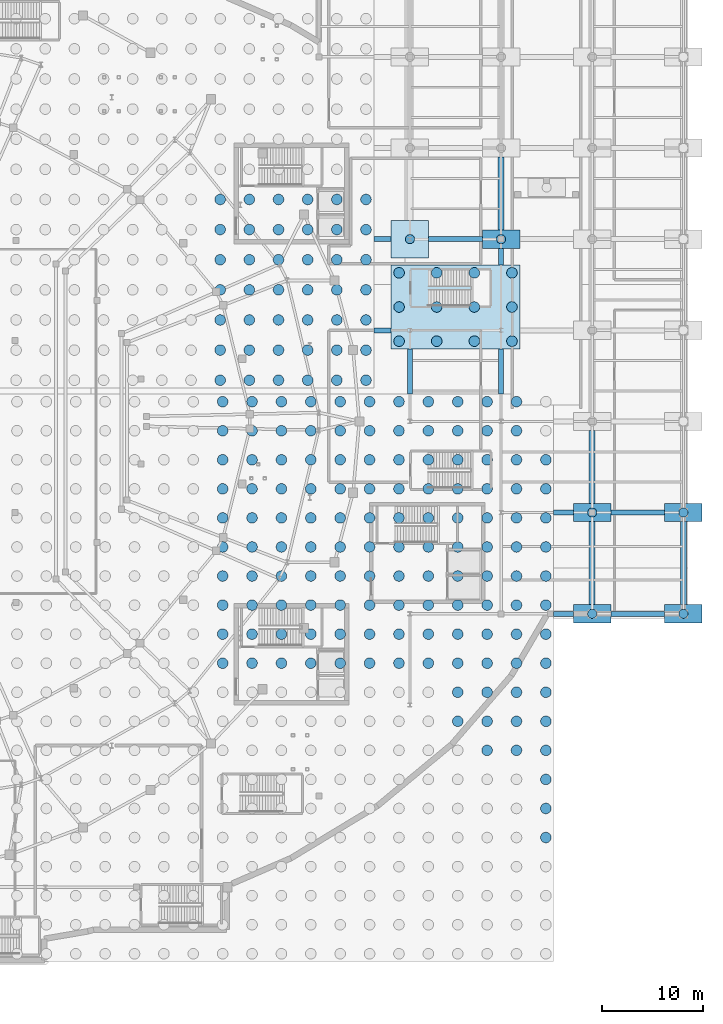
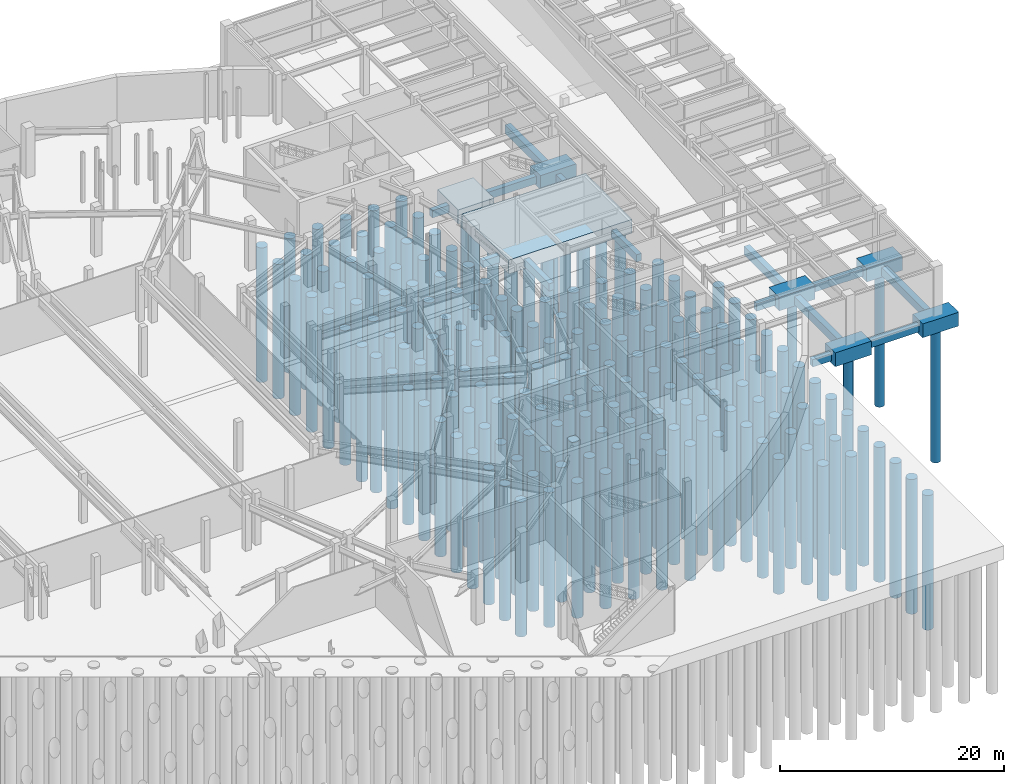
# One storey, part 8 of 56: 192 piles, 21 footings.
"""IFC4 building model written with IfcOpenShell, lengths in metres."""

from ifc_helpers import new_model, si_unit, direction, frame, origin, origin_2d, place, context, subcontext, project, spatial, polyline, rectangle, circle, outline, extrude, material, material_profile, profile_set, type_object, element, save


model = new_model("IFC4")

# Units and contexts
model_context = context("Model", 3, precision=1e-05, world=origin(), true_north=direction((0.0, 1.0)))
body_context = subcontext(model_context, "Body", "Model", "MODEL_VIEW")
ifc_project = project(units=[si_unit("LENGTHUNIT", "METRE"), si_unit("AREAUNIT", "SQUARE_METRE"), si_unit("VOLUMEUNIT", "CUBIC_METRE"), si_unit("PLANEANGLEUNIT", "RADIAN"), si_unit("MASSUNIT", "GRAM", prefix="KILO")], contexts=[model_context])

# Site, building, storey
site_placement = place(None, origin())
site = spatial("IfcSite", under=ifc_project, at=site_placement, CompositionType="ELEMENT")
building_placement = place(site_placement, origin())
building = spatial("IfcBuilding", under=site, at=building_placement, Name="Glasvene Arena", CompositionType="ELEMENT")
storey_placement = place(building_placement, frame((0.0, 0.0, -5.39990234375)))
storey = spatial("IfcBuildingStorey", under=building, at=storey_placement, Name="B1", CompositionType="ELEMENT", Elevation=-5.39990234375)

# Footings
ifc_material = material(Name="Concrete C40/50", Category="concrete")
footing_type_1 = type_object("IfcFootingType", Name="FT-FB-500x800", PredefinedType="FOOTING_BEAM", material=ifc_material)
for number, where, name in (
    (1, (147.0, 77.93701171875, -1.25), "Ground tie beam 0057"),
    (2, (156.0, 77.93701171875, -1.25), "Ground tie beam 0061"),
):
    element("IfcFooting", number, at=place(storey_placement, frame(where)), inside=storey, type_object=footing_type_1, Name=name, PredefinedType="FOOTING_BEAM", context=body_context, shape_type="SweptSolid", body=[
        extrude(outline(polyline([(-0.25, -2.212890625), (0.25, -2.212890625), (0.25, 2.212890625), (-0.25, 2.212890625), (-0.25, -2.212890625)])), origin(), (0.0, 0.0, 1.0), 0.7998046875),
    ])
footing_1_placement = place(storey_placement, frame((156.0, 89.27490234375, -1.25)))
element("IfcFooting", 3, at=footing_1_placement, inside=storey, type_object=footing_type_1, Name="Ground tie beam 0062", PredefinedType="FOOTING_BEAM", context=body_context, shape_type="SweptSolid", body=[
    extrude(outline(polyline([(-0.25, -0.824951171875), (0.25, -0.824951171875), (0.25, 0.8251953125), (-0.25, 0.8251953125), (-0.25, -0.824951171875)])), origin(), (0.0, 0.0, 1.0), 0.7998046875),
])
footing_2_placement = place(storey_placement, frame((162.175048828125, 54.0, -1.25)))
element("IfcFooting", 4, at=footing_2_placement, inside=storey, type_object=footing_type_1, Name="Ground tie beam 0094", PredefinedType="FOOTING_BEAM", context=body_context, shape_type="SweptSolid", body=[
    extrude(outline(polyline([(-0.97509765625, -0.25), (0.974853515625, -0.25), (0.974853515625, 0.25), (-0.97509765625, 0.25), (-0.97509765625, -0.25)])), origin(), (0.0, 0.0, 1.0), 0.7998046875),
])
footing_3_placement = place(storey_placement, frame((169.5, 54.0, -1.25)))
element("IfcFooting", 5, at=footing_3_placement, inside=storey, type_object=footing_type_1, Name="Ground tie beam 0095", PredefinedType="FOOTING_BEAM", context=body_context, shape_type="SweptSolid", body=[
    extrude(outline(polyline([(-2.64990234375, -0.25), (2.64990234375, -0.25), (2.64990234375, 0.25), (-2.64990234375, 0.25), (-2.64990234375, -0.25)])), origin(), (0.0, 0.0, 1.0), 0.7998046875),
])
footing_4_placement = place(storey_placement, frame((162.175048828125, 64.0, -1.25)))
element("IfcFooting", 6, at=footing_4_placement, inside=storey, type_object=footing_type_1, Name="Ground tie beam 0099", PredefinedType="FOOTING_BEAM", context=body_context, shape_type="SweptSolid", body=[
    extrude(outline(polyline([(-0.97509765625, -0.25), (0.974853515625, -0.25), (0.974853515625, 0.25), (-0.97509765625, 0.25), (-0.97509765625, -0.25)])), origin(), (0.0, 0.0, 1.0), 0.7998046875),
])
footing_5_placement = place(storey_placement, frame((169.5, 64.0, -1.25)))
element("IfcFooting", 7, at=footing_5_placement, inside=storey, type_object=footing_type_1, Name="Ground tie beam 0100", PredefinedType="FOOTING_BEAM", context=body_context, shape_type="SweptSolid", body=[
    extrude(outline(polyline([(-2.64990234375, -0.25), (2.64990234375, -0.25), (2.64990234375, 0.25), (-2.64990234375, 0.25), (-2.64990234375, -0.25)])), origin(), (0.0, 0.0, 1.0), 0.7998046875),
])
for number, where, name in (
    (8, (144.2919921875, 82.0, -1.25), "Ground tie beam 0112"),
    (9, (144.2919921875, 91.0, -1.25), "Ground tie beam 0121"),
):
    element("IfcFooting", number, at=place(storey_placement, frame(where)), inside=storey, type_object=footing_type_1, Name=name, PredefinedType="FOOTING_BEAM", context=body_context, shape_type="SweptSolid", body=[
        extrude(outline(polyline([(-0.85791015625, -0.25), (0.85791015625, -0.25), (0.85791015625, 0.25), (-0.85791015625, 0.25), (-0.85791015625, -0.25)])), origin(), (0.0, 0.0, 1.0), 0.7998046875),
    ])
footing_6_placement = place(storey_placement, frame((151.5, 91.0, -1.25)))
element("IfcFooting", 10, at=footing_6_placement, inside=storey, type_object=footing_type_1, Name="Ground tie beam 0122", PredefinedType="FOOTING_BEAM", context=body_context, shape_type="SweptSolid", body=[
    extrude(outline(polyline([(-2.64990234375, -0.25), (2.64990234375, -0.25), (2.64990234375, 0.25), (-2.64990234375, 0.25), (-2.64990234375, -0.25)])), origin(), (0.0, 0.0, 1.0), 0.7998046875),
])
footing_type_2 = type_object("IfcFootingType", Name="FT-FB-600x900", PredefinedType="FOOTING_BEAM", material=ifc_material)
footing_7_placement = place(storey_placement, frame((156.0, 95.5, -1.35009765625)))
element("IfcFooting", 11, at=footing_7_placement, inside=storey, type_object=footing_type_2, Name="Ground tie beam 0063", PredefinedType="FOOTING_BEAM", context=body_context, shape_type="SweptSolid", body=[
    extrude(outline(polyline([(-0.300048828125, -3.60009765625), (0.300048828125, -3.60009765625), (0.300048828125, 3.60009765625), (-0.300048828125, 3.60009765625), (-0.300048828125, -3.60009765625)])), origin(), (0.0, 0.0, 1.0), 0.89990234375),
])
footing_8_placement = place(storey_placement, frame((165.0, 59.0, -1.35009765625)))
element("IfcFooting", 12, at=footing_8_placement, inside=storey, type_object=footing_type_2, Name="Ground tie beam 0066", PredefinedType="FOOTING_BEAM", context=body_context, shape_type="SweptSolid", body=[
    extrude(outline(polyline([(-0.300048828125, -4.10009765625), (0.300048828125, -4.10009765625), (0.300048828125, 4.10009765625), (-0.300048828125, 4.10009765625), (-0.300048828125, -4.10009765625)])), origin(), (0.0, 0.0, 1.0), 0.89990234375),
])
footing_9_placement = place(storey_placement, frame((165.0, 68.5, -1.35009765625)))
element("IfcFooting", 13, at=footing_9_placement, inside=storey, type_object=footing_type_2, Name="Ground tie beam 0067", PredefinedType="FOOTING_BEAM", context=body_context, shape_type="SweptSolid", body=[
    extrude(outline(polyline([(-0.300048828125, -3.60009765625), (0.300048828125, -3.60009765625), (0.300048828125, 3.60009765625), (-0.300048828125, 3.60009765625), (-0.300048828125, -3.60009765625)])), origin(), (0.0, 0.0, 1.0), 0.89990234375),
])
footing_10_placement = place(storey_placement, frame((174.0, 59.0, -1.35009765625)))
element("IfcFooting", 14, at=footing_10_placement, inside=storey, type_object=footing_type_2, Name="Ground tie beam 0073", PredefinedType="FOOTING_BEAM", context=body_context, shape_type="SweptSolid", body=[
    extrude(outline(polyline([(-0.300048828125, -4.10009765625), (0.300048828125, -4.10009765625), (0.300048828125, 4.10009765625), (-0.300048828125, 4.10009765625), (-0.300048828125, -4.10009765625)])), origin(), (0.0, 0.0, 1.0), 0.89990234375),
])
footing_type_3 = type_object("IfcFootingType", Name="FT-PC-1270x830", PredefinedType="PILE_CAP", material=ifc_material)
footing_11_placement = place(storey_placement, frame((151.5, 84.300048828125, -1.5), z_axis=(0.0, 0.0, 1.0), x_axis=(1.0, 0.0, 0.0)))
element("IfcFooting", 15, at=footing_11_placement, inside=storey, type_object=footing_type_3, Name="Pile cap 054", PredefinedType="PILE_CAP", context=body_context, shape_type="SweptSolid", body=[
    extrude(rectangle(XDim=12.699951171875, YDim=8.300048828125, at=origin_2d()), origin(), (0.0, 0.0, 1.0), 1.5),
])
footing_type_4 = type_object("IfcFootingType", Name="FT-PC-370x180", PredefinedType="PILE_CAP", material=ifc_material)
for number, where, z_axis, x_axis, name in (
    (16, (165.0, 54.0, -1.5), (0.0, 0.0, 1.0), (1.0, 0.0, 0.0), "Pile cap 036"),
    (17, (174.0, 54.0, -1.5), (0.0, 0.0, 1.0), (1.0, 0.0, 0.0), "Pile cap 037"),
    (18, (165.0, 64.0, -1.5), (0.0, 0.0, 1.0), (1.0, 0.0, 0.0), "Pile cap 042"),
    (19, (174.0, 64.0, -1.5), (0.0, 0.0, 1.0), (1.0, 0.0, 0.0), "Pile cap 043"),
    (20, (156.0, 91.0, -1.5), (0.0, 0.0, 1.0), (1.0, 0.0, 0.0), "Pile cap 069"),
):
    element("IfcFooting", number, at=place(storey_placement, frame(where, z_axis=z_axis, x_axis=x_axis)), inside=storey, type_object=footing_type_4, Name=name, PredefinedType="PILE_CAP", context=body_context, shape_type="SweptSolid", body=[
        extrude(rectangle(XDim=3.699951171875, YDim=1.800048828125, at=origin_2d()), origin(), (0.0, 0.0, 1.0), 1.5),
    ])
footing_type_5 = type_object("IfcFootingType", Name="FT-PC-370x370", PredefinedType="PILE_CAP", material=ifc_material)
footing_12_placement = place(storey_placement, frame((147.0, 91.0, -1.5), z_axis=(0.0, 0.0, 1.0), x_axis=(1.0, 0.0, 0.0)))
element("IfcFooting", 21, at=footing_12_placement, inside=storey, type_object=footing_type_5, Name="Pile cap 064", PredefinedType="PILE_CAP", context=body_context, shape_type="SweptSolid", body=[
    extrude(rectangle(XDim=3.699951171875, YDim=3.699951171875, at=origin_2d()), origin(), (0.0, 0.0, 1.0), 1.5),
])

# Piles
ifc_material_profile_1 = material_profile(ifc_material, circle(Radius=0.52490234375, at=origin_2d()), Name="BORED PILE 1050")
ifc_profile_set_1 = profile_set([ifc_material_profile_1], Name="Concrete C40/50")
pile_type_1 = type_object("IfcPileType", Name="PL-BP1050", PredefinedType="BORED", material=ifc_profile_set_1)
for number, where, z_axis, x_axis, name in (
    (22, (128.50390625, 49.121826171875, -1.35009765625), (0.0, 0.0, -1.0), (1.0, 0.0, 0.0), "Bored pile 0820"),
    (23, (128.50390625, 51.991455078125, -1.35009765625), (0.0, 0.0, -1.0), (1.0, 0.0, 0.0), "Bored pile 0821"),
    (24, (128.50390625, 54.861083984375, -1.35009765625), (0.0, 0.0, -1.0), (1.0, 0.0, 0.0), "Bored pile 0822"),
    (25, (128.50390625, 57.73095703125, -1.35009765625), (0.0, 0.0, -1.0), (1.0, 0.0, 0.0), "Bored pile 0823"),
    (26, (128.50390625, 60.6005859375, -1.35009765625), (0.0, 0.0, -1.0), (1.0, 0.0, 0.0), "Bored pile 0824"),
    (27, (128.50390625, 63.47021484375, -1.35009765625), (0.0, 0.0, -1.0), (1.0, 0.0, 0.0), "Bored pile 0825"),
    (28, (128.50390625, 66.33984375, -1.35009765625), (0.0, 0.0, -1.0), (1.0, 0.0, 0.0), "Bored pile 0826"),
    (29, (128.50390625, 69.209716796875, -1.35009765625), (0.0, 0.0, -1.0), (1.0, 0.0, 0.0), "Bored pile 0827"),
    (30, (128.50390625, 72.079345703125, -1.35009765625), (0.0, 0.0, -1.0), (1.0, 0.0, 0.0), "Bored pile 0828"),
    (31, (128.50390625, 74.948974609375, -1.35009765625), (0.0, 0.0, -1.0), (1.0, 0.0, 0.0), "Bored pile 0829"),
    (32, (131.406005859375, 49.121826171875, -1.35009765625), (0.0, 0.0, -1.0), (1.0, 0.0, 0.0), "Bored pile 0840"),
    (33, (131.406005859375, 51.991455078125, -1.35009765625), (0.0, 0.0, -1.0), (1.0, 0.0, 0.0), "Bored pile 0841"),
    (34, (131.406005859375, 54.861083984375, -1.35009765625), (0.0, 0.0, -1.0), (1.0, 0.0, 0.0), "Bored pile 0842"),
    (35, (131.406005859375, 57.73095703125, -1.35009765625), (0.0, 0.0, -1.0), (1.0, 0.0, 0.0), "Bored pile 0843"),
    (36, (131.406005859375, 60.6005859375, -1.35009765625), (0.0, 0.0, -1.0), (1.0, 0.0, 0.0), "Bored pile 0844"),
    (37, (131.406005859375, 63.47021484375, -1.35009765625), (0.0, 0.0, -1.0), (1.0, 0.0, 0.0), "Bored pile 0845"),
    (38, (131.406005859375, 66.33984375, -1.35009765625), (0.0, 0.0, -1.0), (1.0, 0.0, 0.0), "Bored pile 0846"),
    (39, (131.406005859375, 69.209716796875, -1.35009765625), (0.0, 0.0, -1.0), (1.0, 0.0, 0.0), "Bored pile 0847"),
    (40, (131.406005859375, 72.079345703125, -1.35009765625), (0.0, 0.0, -1.0), (1.0, 0.0, 0.0), "Bored pile 0848"),
    (41, (131.406005859375, 74.948974609375, -1.35009765625), (0.0, 0.0, -1.0), (1.0, 0.0, 0.0), "Bored pile 0849"),
    (42, (134.307861328125, 49.121826171875, -1.35009765625), (0.0, 0.0, -1.0), (1.0, 0.0, 0.0), "Bored pile 0860"),
    (43, (134.307861328125, 51.991455078125, -1.35009765625), (0.0, 0.0, -1.0), (1.0, 0.0, 0.0), "Bored pile 0861"),
    (44, (134.307861328125, 54.861083984375, -1.35009765625), (0.0, 0.0, -1.0), (1.0, 0.0, 0.0), "Bored pile 0862"),
    (45, (134.307861328125, 57.73095703125, -1.35009765625), (0.0, 0.0, -1.0), (1.0, 0.0, 0.0), "Bored pile 0863"),
    (46, (134.307861328125, 60.6005859375, -1.35009765625), (0.0, 0.0, -1.0), (1.0, 0.0, 0.0), "Bored pile 0864"),
    (47, (134.307861328125, 63.47021484375, -1.35009765625), (0.0, 0.0, -1.0), (1.0, 0.0, 0.0), "Bored pile 0865"),
    (48, (134.307861328125, 66.33984375, -1.35009765625), (0.0, 0.0, -1.0), (1.0, 0.0, 0.0), "Bored pile 0866"),
    (49, (134.307861328125, 69.209716796875, -1.35009765625), (0.0, 0.0, -1.0), (1.0, 0.0, 0.0), "Bored pile 0867"),
    (50, (134.307861328125, 72.079345703125, -1.35009765625), (0.0, 0.0, -1.0), (1.0, 0.0, 0.0), "Bored pile 0868"),
    (51, (134.307861328125, 74.948974609375, -1.35009765625), (0.0, 0.0, -1.0), (1.0, 0.0, 0.0), "Bored pile 0869"),
    (52, (137.209716796875, 49.121826171875, -1.35009765625), (0.0, 0.0, -1.0), (1.0, 0.0, 0.0), "Bored pile 0880"),
    (53, (137.209716796875, 51.991455078125, -1.35009765625), (0.0, 0.0, -1.0), (1.0, 0.0, 0.0), "Bored pile 0881"),
    (54, (137.209716796875, 54.861083984375, -1.35009765625), (0.0, 0.0, -1.0), (1.0, 0.0, 0.0), "Bored pile 0882"),
    (55, (137.209716796875, 57.73095703125, -1.35009765625), (0.0, 0.0, -1.0), (1.0, 0.0, 0.0), "Bored pile 0883"),
    (56, (137.209716796875, 60.6005859375, -1.35009765625), (0.0, 0.0, -1.0), (1.0, 0.0, 0.0), "Bored pile 0884"),
    (57, (137.209716796875, 63.47021484375, -1.35009765625), (0.0, 0.0, -1.0), (1.0, 0.0, 0.0), "Bored pile 0885"),
    (58, (137.209716796875, 66.33984375, -1.35009765625), (0.0, 0.0, -1.0), (1.0, 0.0, 0.0), "Bored pile 0886"),
    (59, (137.209716796875, 69.209716796875, -1.35009765625), (0.0, 0.0, -1.0), (1.0, 0.0, 0.0), "Bored pile 0887"),
    (60, (137.209716796875, 72.079345703125, -1.35009765625), (0.0, 0.0, -1.0), (1.0, 0.0, 0.0), "Bored pile 0888"),
    (61, (137.209716796875, 74.948974609375, -1.35009765625), (0.0, 0.0, -1.0), (1.0, 0.0, 0.0), "Bored pile 0889"),
    (62, (140.111572265625, 49.121826171875, -1.35009765625), (0.0, 0.0, -1.0), (1.0, 0.0, 0.0), "Bored pile 0900"),
    (63, (140.111572265625, 51.991455078125, -1.35009765625), (0.0, 0.0, -1.0), (1.0, 0.0, 0.0), "Bored pile 0901"),
    (64, (140.111572265625, 54.861083984375, -1.35009765625), (0.0, 0.0, -1.0), (1.0, 0.0, 0.0), "Bored pile 0902"),
    (65, (140.111572265625, 57.73095703125, -1.35009765625), (0.0, 0.0, -1.0), (1.0, 0.0, 0.0), "Bored pile 0903"),
    (66, (140.111572265625, 60.6005859375, -1.35009765625), (0.0, 0.0, -1.0), (1.0, 0.0, 0.0), "Bored pile 0904"),
    (67, (140.111572265625, 63.47021484375, -1.35009765625), (0.0, 0.0, -1.0), (1.0, 0.0, 0.0), "Bored pile 0905"),
    (68, (140.111572265625, 66.33984375, -1.35009765625), (0.0, 0.0, -1.0), (1.0, 0.0, 0.0), "Bored pile 0906"),
    (69, (140.111572265625, 69.209716796875, -1.35009765625), (0.0, 0.0, -1.0), (1.0, 0.0, 0.0), "Bored pile 0907"),
    (70, (140.111572265625, 72.079345703125, -1.35009765625), (0.0, 0.0, -1.0), (1.0, 0.0, 0.0), "Bored pile 0908"),
    (71, (140.111572265625, 74.948974609375, -1.35009765625), (0.0, 0.0, -1.0), (1.0, 0.0, 0.0), "Bored pile 0909"),
    (72, (143.013427734375, 49.121826171875, -1.35009765625), (0.0, 0.0, -1.0), (1.0, 0.0, 0.0), "Bored pile 0920"),
    (73, (143.013427734375, 51.991455078125, -1.35009765625), (0.0, 0.0, -1.0), (1.0, 0.0, 0.0), "Bored pile 0921"),
    (74, (143.013427734375, 54.861083984375, -1.35009765625), (0.0, 0.0, -1.0), (1.0, 0.0, 0.0), "Bored pile 0922"),
    (75, (143.013427734375, 57.73095703125, -1.35009765625), (0.0, 0.0, -1.0), (1.0, 0.0, 0.0), "Bored pile 0923"),
    (76, (143.013427734375, 60.6005859375, -1.35009765625), (0.0, 0.0, -1.0), (1.0, 0.0, 0.0), "Bored pile 0924"),
    (77, (143.013427734375, 63.47021484375, -1.35009765625), (0.0, 0.0, -1.0), (1.0, 0.0, 0.0), "Bored pile 0925"),
    (78, (143.013427734375, 66.33984375, -1.35009765625), (0.0, 0.0, -1.0), (1.0, 0.0, 0.0), "Bored pile 0926"),
    (79, (143.013427734375, 69.209716796875, -1.35009765625), (0.0, 0.0, -1.0), (1.0, 0.0, 0.0), "Bored pile 0927"),
    (80, (143.013427734375, 72.079345703125, -1.35009765625), (0.0, 0.0, -1.0), (1.0, 0.0, 0.0), "Bored pile 0928"),
    (81, (143.013427734375, 74.948974609375, -1.35009765625), (0.0, 0.0, -1.0), (1.0, 0.0, 0.0), "Bored pile 0929"),
    (82, (145.91552734375, 49.121826171875, -1.35009765625), (0.0, 0.0, -1.0), (1.0, 0.0, 0.0), "Bored pile 0940"),
    (83, (145.91552734375, 51.991455078125, -1.35009765625), (0.0, 0.0, -1.0), (1.0, 0.0, 0.0), "Bored pile 0941"),
    (84, (145.91552734375, 54.861083984375, -1.35009765625), (0.0, 0.0, -1.0), (1.0, 0.0, 0.0), "Bored pile 0942"),
    (85, (145.91552734375, 57.73095703125, -1.35009765625), (0.0, 0.0, -1.0), (1.0, 0.0, 0.0), "Bored pile 0943"),
    (86, (145.91552734375, 60.6005859375, -1.35009765625), (0.0, 0.0, -1.0), (1.0, 0.0, 0.0), "Bored pile 0944"),
    (87, (145.91552734375, 63.47021484375, -1.35009765625), (0.0, 0.0, -1.0), (1.0, 0.0, 0.0), "Bored pile 0945"),
    (88, (145.91552734375, 66.33984375, -1.35009765625), (0.0, 0.0, -1.0), (1.0, 0.0, 0.0), "Bored pile 0946"),
    (89, (145.91552734375, 69.209716796875, -1.35009765625), (0.0, 0.0, -1.0), (1.0, 0.0, 0.0), "Bored pile 0947"),
    (90, (145.91552734375, 72.079345703125, -1.35009765625), (0.0, 0.0, -1.0), (1.0, 0.0, 0.0), "Bored pile 0948"),
    (91, (145.91552734375, 74.948974609375, -1.35009765625), (0.0, 0.0, -1.0), (1.0, 0.0, 0.0), "Bored pile 0949"),
    (92, (148.8173828125, 49.121826171875, -1.35009765625), (0.0, 0.0, -1.0), (1.0, 0.0, 0.0), "Bored pile 0960"),
    (93, (148.8173828125, 51.991455078125, -1.35009765625), (0.0, 0.0, -1.0), (1.0, 0.0, 0.0), "Bored pile 0961"),
    (94, (148.8173828125, 54.861083984375, -1.35009765625), (0.0, 0.0, -1.0), (1.0, 0.0, 0.0), "Bored pile 0962"),
    (95, (148.8173828125, 57.73095703125, -1.35009765625), (0.0, 0.0, -1.0), (1.0, 0.0, 0.0), "Bored pile 0963"),
    (96, (148.8173828125, 60.6005859375, -1.35009765625), (0.0, 0.0, -1.0), (1.0, 0.0, 0.0), "Bored pile 0964"),
    (97, (148.8173828125, 63.47021484375, -1.35009765625), (0.0, 0.0, -1.0), (1.0, 0.0, 0.0), "Bored pile 0965"),
    (98, (148.8173828125, 66.33984375, -1.35009765625), (0.0, 0.0, -1.0), (1.0, 0.0, 0.0), "Bored pile 0966"),
    (99, (148.8173828125, 69.209716796875, -1.35009765625), (0.0, 0.0, -1.0), (1.0, 0.0, 0.0), "Bored pile 0967"),
    (100, (148.8173828125, 72.079345703125, -1.35009765625), (0.0, 0.0, -1.0), (1.0, 0.0, 0.0), "Bored pile 0968"),
    (101, (148.8173828125, 74.948974609375, -1.35009765625), (0.0, 0.0, -1.0), (1.0, 0.0, 0.0), "Bored pile 0969"),
    (102, (151.71923828125, 43.382568359375, -1.35009765625), (0.0, 0.0, -1.0), (1.0, 0.0, 0.0), "Bored pile 0978"),
    (103, (151.71923828125, 46.252197265625, -1.35009765625), (0.0, 0.0, -1.0), (1.0, 0.0, 0.0), "Bored pile 0979"),
    (104, (151.71923828125, 49.121826171875, -1.35009765625), (0.0, 0.0, -1.0), (1.0, 0.0, 0.0), "Bored pile 0980"),
    (105, (151.71923828125, 51.991455078125, -1.35009765625), (0.0, 0.0, -1.0), (1.0, 0.0, 0.0), "Bored pile 0981"),
    (106, (151.71923828125, 54.861083984375, -1.35009765625), (0.0, 0.0, -1.0), (1.0, 0.0, 0.0), "Bored pile 0982"),
    (107, (151.71923828125, 57.73095703125, -1.35009765625), (0.0, 0.0, -1.0), (1.0, 0.0, 0.0), "Bored pile 0983"),
    (108, (151.71923828125, 60.6005859375, -1.35009765625), (0.0, 0.0, -1.0), (1.0, 0.0, 0.0), "Bored pile 0984"),
    (109, (151.71923828125, 63.47021484375, -1.35009765625), (0.0, 0.0, -1.0), (1.0, 0.0, 0.0), "Bored pile 0985"),
    (110, (151.71923828125, 66.33984375, -1.35009765625), (0.0, 0.0, -1.0), (1.0, 0.0, 0.0), "Bored pile 0986"),
    (111, (151.71923828125, 69.209716796875, -1.35009765625), (0.0, 0.0, -1.0), (1.0, 0.0, 0.0), "Bored pile 0987"),
    (112, (151.71923828125, 72.079345703125, -1.35009765625), (0.0, 0.0, -1.0), (1.0, 0.0, 0.0), "Bored pile 0988"),
    (113, (151.71923828125, 74.948974609375, -1.35009765625), (0.0, 0.0, -1.0), (1.0, 0.0, 0.0), "Bored pile 0989"),
    (114, (154.62109375, 40.5126953125, -1.35009765625), (0.0, 0.0, -1.0), (1.0, 0.0, 0.0), "Bored pile 0997"),
    (115, (154.62109375, 43.382568359375, -1.35009765625), (0.0, 0.0, -1.0), (1.0, 0.0, 0.0), "Bored pile 0998"),
    (116, (154.62109375, 46.252197265625, -1.35009765625), (0.0, 0.0, -1.0), (1.0, 0.0, 0.0), "Bored pile 0999"),
    (117, (154.62109375, 49.121826171875, -1.35009765625), (0.0, 0.0, -1.0), (1.0, 0.0, 0.0), "Bored pile 1000"),
    (118, (154.62109375, 51.991455078125, -1.35009765625), (0.0, 0.0, -1.0), (1.0, 0.0, 0.0), "Bored pile 1001"),
    (119, (154.62109375, 54.861083984375, -1.35009765625), (0.0, 0.0, -1.0), (1.0, 0.0, 0.0), "Bored pile 1002"),
    (120, (154.62109375, 57.73095703125, -1.35009765625), (0.0, 0.0, -1.0), (1.0, 0.0, 0.0), "Bored pile 1003"),
    (121, (154.62109375, 60.6005859375, -1.35009765625), (0.0, 0.0, -1.0), (1.0, 0.0, 0.0), "Bored pile 1004"),
    (122, (154.62109375, 63.47021484375, -1.35009765625), (0.0, 0.0, -1.0), (1.0, 0.0, 0.0), "Bored pile 1005"),
    (123, (154.62109375, 66.33984375, -1.35009765625), (0.0, 0.0, -1.0), (1.0, 0.0, 0.0), "Bored pile 1006"),
    (124, (154.62109375, 69.209716796875, -1.35009765625), (0.0, 0.0, -1.0), (1.0, 0.0, 0.0), "Bored pile 1007"),
    (125, (154.62109375, 72.079345703125, -1.35009765625), (0.0, 0.0, -1.0), (1.0, 0.0, 0.0), "Bored pile 1008"),
    (126, (154.62109375, 74.948974609375, -1.35009765625), (0.0, 0.0, -1.0), (1.0, 0.0, 0.0), "Bored pile 1009"),
    (127, (157.523193359375, 40.5126953125, -1.35009765625), (0.0, 0.0, -1.0), (1.0, 0.0, 0.0), "Bored pile 1017"),
    (128, (157.523193359375, 43.382568359375, -1.35009765625), (0.0, 0.0, -1.0), (1.0, 0.0, 0.0), "Bored pile 1018"),
    (129, (157.523193359375, 46.252197265625, -1.35009765625), (0.0, 0.0, -1.0), (1.0, 0.0, 0.0), "Bored pile 1019"),
    (130, (157.523193359375, 49.121826171875, -1.35009765625), (0.0, 0.0, -1.0), (1.0, 0.0, 0.0), "Bored pile 1020"),
    (131, (157.523193359375, 51.991455078125, -1.35009765625), (0.0, 0.0, -1.0), (1.0, 0.0, 0.0), "Bored pile 1021"),
    (132, (157.523193359375, 54.861083984375, -1.35009765625), (0.0, 0.0, -1.0), (1.0, 0.0, 0.0), "Bored pile 1022"),
    (133, (157.523193359375, 57.73095703125, -1.35009765625), (0.0, 0.0, -1.0), (1.0, 0.0, 0.0), "Bored pile 1023"),
    (134, (157.523193359375, 60.6005859375, -1.35009765625), (0.0, 0.0, -1.0), (1.0, 0.0, 0.0), "Bored pile 1024"),
    (135, (157.523193359375, 63.47021484375, -1.35009765625), (0.0, 0.0, -1.0), (1.0, 0.0, 0.0), "Bored pile 1025"),
    (136, (157.523193359375, 66.33984375, -1.35009765625), (0.0, 0.0, -1.0), (1.0, 0.0, 0.0), "Bored pile 1026"),
    (137, (157.523193359375, 69.209716796875, -1.35009765625), (0.0, 0.0, -1.0), (1.0, 0.0, 0.0), "Bored pile 1027"),
    (138, (157.523193359375, 72.079345703125, -1.35009765625), (0.0, 0.0, -1.0), (1.0, 0.0, 0.0), "Bored pile 1028"),
    (139, (157.523193359375, 74.948974609375, -1.35009765625), (0.0, 0.0, -1.0), (1.0, 0.0, 0.0), "Bored pile 1029"),
    (140, (160.425048828125, 31.90380859375, -1.35009765625), (0.0, 0.0, -1.0), (1.0, 0.0, 0.0), "Bored pile 1034"),
    (141, (160.425048828125, 34.7734375, -1.35009765625), (0.0, 0.0, -1.0), (1.0, 0.0, 0.0), "Bored pile 1035"),
    (142, (160.425048828125, 37.64306640625, -1.35009765625), (0.0, 0.0, -1.0), (1.0, 0.0, 0.0), "Bored pile 1036"),
    (143, (160.425048828125, 40.5126953125, -1.35009765625), (0.0, 0.0, -1.0), (1.0, 0.0, 0.0), "Bored pile 1037"),
    (144, (160.425048828125, 43.382568359375, -1.35009765625), (0.0, 0.0, -1.0), (1.0, 0.0, 0.0), "Bored pile 1038"),
    (145, (160.425048828125, 46.252197265625, -1.35009765625), (0.0, 0.0, -1.0), (1.0, 0.0, 0.0), "Bored pile 1039"),
    (146, (160.425048828125, 49.121826171875, -1.35009765625), (0.0, 0.0, -1.0), (1.0, 0.0, 0.0), "Bored pile 1040"),
    (147, (160.425048828125, 51.991455078125, -1.35009765625), (0.0, 0.0, -1.0), (1.0, 0.0, 0.0), "Bored pile 1041"),
    (148, (160.425048828125, 54.861083984375, -1.35009765625), (0.0, 0.0, -1.0), (1.0, 0.0, 0.0), "Bored pile 1042"),
    (149, (160.425048828125, 57.73095703125, -1.35009765625), (0.0, 0.0, -1.0), (1.0, 0.0, 0.0), "Bored pile 1043"),
    (150, (160.425048828125, 60.6005859375, -1.35009765625), (0.0, 0.0, -1.0), (1.0, 0.0, 0.0), "Bored pile 1044"),
    (151, (160.425048828125, 63.47021484375, -1.35009765625), (0.0, 0.0, -1.0), (1.0, 0.0, 0.0), "Bored pile 1045"),
    (152, (160.425048828125, 66.33984375, -1.35009765625), (0.0, 0.0, -1.0), (1.0, 0.0, 0.0), "Bored pile 1046"),
    (153, (160.425048828125, 69.209716796875, -1.35009765625), (0.0, 0.0, -1.0), (1.0, 0.0, 0.0), "Bored pile 1047"),
    (154, (128.26025390625, 77.069091796875, -1.35009765625), (0.0, 0.0, -1.0), (1.0, 0.0, 0.0), "Bored pile 1507"),
    (155, (128.26025390625, 80.044189453125, -1.35009765625), (0.0, 0.0, -1.0), (1.0, 0.0, 0.0), "Bored pile 1508"),
    (156, (128.26025390625, 83.019287109375, -1.35009765625), (0.0, 0.0, -1.0), (1.0, 0.0, 0.0), "Bored pile 1509"),
    (157, (128.26025390625, 85.994384765625, -1.35009765625), (0.0, 0.0, -1.0), (1.0, 0.0, 0.0), "Bored pile 1510"),
    (158, (128.26025390625, 88.969482421875, -1.35009765625), (0.0, 0.0, -1.0), (1.0, 0.0, 0.0), "Bored pile 1511"),
    (159, (128.26025390625, 91.944580078125, -1.35009765625), (0.0, 0.0, -1.0), (1.0, 0.0, 0.0), "Bored pile 1512"),
    (160, (128.26025390625, 94.919921875, -1.35009765625), (0.0, 0.0, -1.0), (1.0, 0.0, 0.0), "Bored pile 1513"),
    (161, (131.139892578125, 77.069091796875, -1.35009765625), (0.0, 0.0, -1.0), (1.0, 0.0, 0.0), "Bored pile 1522"),
    (162, (131.139892578125, 80.044189453125, -1.35009765625), (0.0, 0.0, -1.0), (1.0, 0.0, 0.0), "Bored pile 1523"),
    (163, (131.139892578125, 83.019287109375, -1.35009765625), (0.0, 0.0, -1.0), (1.0, 0.0, 0.0), "Bored pile 1524"),
    (164, (131.139892578125, 85.994384765625, -1.35009765625), (0.0, 0.0, -1.0), (1.0, 0.0, 0.0), "Bored pile 1525"),
    (165, (131.139892578125, 88.969482421875, -1.35009765625), (0.0, 0.0, -1.0), (1.0, 0.0, 0.0), "Bored pile 1526"),
    (166, (131.139892578125, 91.944580078125, -1.35009765625), (0.0, 0.0, -1.0), (1.0, 0.0, 0.0), "Bored pile 1527"),
    (167, (131.139892578125, 94.919921875, -1.35009765625), (0.0, 0.0, -1.0), (1.0, 0.0, 0.0), "Bored pile 1528"),
    (168, (134.019775390625, 77.069091796875, -1.35009765625), (0.0, 0.0, -1.0), (1.0, 0.0, 0.0), "Bored pile 1537"),
    (169, (134.019775390625, 80.044189453125, -1.35009765625), (0.0, 0.0, -1.0), (1.0, 0.0, 0.0), "Bored pile 1538"),
    (170, (134.019775390625, 83.019287109375, -1.35009765625), (0.0, 0.0, -1.0), (1.0, 0.0, 0.0), "Bored pile 1539"),
    (171, (134.019775390625, 85.994384765625, -1.35009765625), (0.0, 0.0, -1.0), (1.0, 0.0, 0.0), "Bored pile 1540"),
    (172, (134.019775390625, 88.969482421875, -1.35009765625), (0.0, 0.0, -1.0), (1.0, 0.0, 0.0), "Bored pile 1541"),
    (173, (134.019775390625, 91.944580078125, -1.35009765625), (0.0, 0.0, -1.0), (1.0, 0.0, 0.0), "Bored pile 1542"),
    (174, (134.019775390625, 94.919921875, -1.35009765625), (0.0, 0.0, -1.0), (1.0, 0.0, 0.0), "Bored pile 1543"),
    (175, (136.8994140625, 77.069091796875, -1.35009765625), (0.0, 0.0, -1.0), (1.0, 0.0, 0.0), "Bored pile 1552"),
    (176, (136.8994140625, 80.044189453125, -1.35009765625), (0.0, 0.0, -1.0), (1.0, 0.0, 0.0), "Bored pile 1553"),
    (177, (136.8994140625, 83.019287109375, -1.35009765625), (0.0, 0.0, -1.0), (1.0, 0.0, 0.0), "Bored pile 1554"),
    (178, (136.8994140625, 85.994384765625, -1.35009765625), (0.0, 0.0, -1.0), (1.0, 0.0, 0.0), "Bored pile 1555"),
    (179, (136.8994140625, 88.969482421875, -1.35009765625), (0.0, 0.0, -1.0), (1.0, 0.0, 0.0), "Bored pile 1556"),
    (180, (136.8994140625, 91.944580078125, -1.35009765625), (0.0, 0.0, -1.0), (1.0, 0.0, 0.0), "Bored pile 1557"),
    (181, (136.8994140625, 94.919921875, -1.35009765625), (0.0, 0.0, -1.0), (1.0, 0.0, 0.0), "Bored pile 1558"),
    (182, (139.779296875, 77.069091796875, -1.35009765625), (0.0, 0.0, -1.0), (1.0, 0.0, 0.0), "Bored pile 1567"),
    (183, (139.779296875, 80.044189453125, -1.35009765625), (0.0, 0.0, -1.0), (1.0, 0.0, 0.0), "Bored pile 1568"),
    (184, (139.779296875, 83.019287109375, -1.35009765625), (0.0, 0.0, -1.0), (1.0, 0.0, 0.0), "Bored pile 1569"),
    (185, (139.779296875, 85.994384765625, -1.35009765625), (0.0, 0.0, -1.0), (1.0, 0.0, 0.0), "Bored pile 1570"),
    (186, (139.779296875, 88.969482421875, -1.35009765625), (0.0, 0.0, -1.0), (1.0, 0.0, 0.0), "Bored pile 1571"),
    (187, (139.779296875, 91.944580078125, -1.35009765625), (0.0, 0.0, -1.0), (1.0, 0.0, 0.0), "Bored pile 1572"),
    (188, (139.779296875, 94.919921875, -1.35009765625), (0.0, 0.0, -1.0), (1.0, 0.0, 0.0), "Bored pile 1573"),
    (189, (142.658935546875, 77.069091796875, -1.35009765625), (0.0, 0.0, -1.0), (1.0, 0.0, 0.0), "Bored pile 1582"),
    (190, (142.658935546875, 80.044189453125, -1.35009765625), (0.0, 0.0, -1.0), (1.0, 0.0, 0.0), "Bored pile 1583"),
    (191, (142.658935546875, 83.019287109375, -1.35009765625), (0.0, 0.0, -1.0), (1.0, 0.0, 0.0), "Bored pile 1584"),
    (192, (142.658935546875, 85.994384765625, -1.35009765625), (0.0, 0.0, -1.0), (1.0, 0.0, 0.0), "Bored pile 1585"),
    (193, (142.658935546875, 88.969482421875, -1.35009765625), (0.0, 0.0, -1.0), (1.0, 0.0, 0.0), "Bored pile 1586"),
    (194, (142.658935546875, 91.944580078125, -1.35009765625), (0.0, 0.0, -1.0), (1.0, 0.0, 0.0), "Bored pile 1587"),
    (195, (142.658935546875, 94.919921875, -1.35009765625), (0.0, 0.0, -1.0), (1.0, 0.0, 0.0), "Bored pile 1588"),
    (196, (145.925048828125, 80.925048828125, -1.35009765625), (0.0, 0.0, -1.0), (1.0, 0.0, 0.0), "Bored pile 1599"),
    (197, (145.925048828125, 84.300048828125, -1.35009765625), (0.0, 0.0, -1.0), (1.0, 0.0, 0.0), "Bored pile 1600"),
    (198, (145.925048828125, 87.675048828125, -1.35009765625), (0.0, 0.0, -1.0), (1.0, 0.0, 0.0), "Bored pile 1601"),
    (199, (149.6416015625, 80.925048828125, -1.35009765625), (0.0, 0.0, -1.0), (1.0, 0.0, 0.0), "Bored pile 1602"),
    (200, (149.6416015625, 84.300048828125, -1.35009765625), (0.0, 0.0, -1.0), (1.0, 0.0, 0.0), "Bored pile 1603"),
    (201, (149.6416015625, 87.675048828125, -1.35009765625), (0.0, 0.0, -1.0), (1.0, 0.0, 0.0), "Bored pile 1604"),
    (202, (153.3583984375, 80.925048828125, -1.35009765625), (0.0, 0.0, -1.0), (1.0, 0.0, 0.0), "Bored pile 1605"),
    (203, (153.3583984375, 84.300048828125, -1.35009765625), (0.0, 0.0, -1.0), (1.0, 0.0, 0.0), "Bored pile 1606"),
    (204, (153.3583984375, 87.675048828125, -1.35009765625), (0.0, 0.0, -1.0), (1.0, 0.0, 0.0), "Bored pile 1607"),
    (205, (157.074951171875, 80.925048828125, -1.35009765625), (0.0, 0.0, -1.0), (1.0, 0.0, 0.0), "Bored pile 1608"),
    (206, (157.074951171875, 84.300048828125, -1.35009765625), (0.0, 0.0, -1.0), (1.0, 0.0, 0.0), "Bored pile 1609"),
    (207, (157.074951171875, 87.675048828125, -1.35009765625), (0.0, 0.0, -1.0), (1.0, 0.0, 0.0), "Bored pile 1610"),
):
    element("IfcPile", number, at=place(storey_placement, frame(where, z_axis=z_axis, x_axis=x_axis)), inside=storey, type_object=pile_type_1, Name=name, PredefinedType="BORED", context=body_context, shape_type="SweptSolid", body=[
        extrude(circle(Radius=0.52490234375, at=origin_2d()), origin(), (0.0, 0.0, 1.0), 14.64990234375),
    ])
ifc_material_profile_2 = material_profile(ifc_material, circle(Radius=0.449951171875, at=origin_2d()), Name="BORED PILE 900")
ifc_profile_set_2 = profile_set([ifc_material_profile_2], Name="Concrete C40/50")
pile_type_2 = type_object("IfcPileType", Name="PL-BP900", PredefinedType="BORED", material=ifc_profile_set_2)
for number, where, z_axis, x_axis, name in (
    (208, (165.0, 54.0, -1.35009765625), (0.0, 0.0, -1.0), (1.0, 0.0, 0.0), "Bored pile 1073"),
    (209, (174.0, 54.0, -1.35009765625), (0.0, 0.0, -1.0), (1.0, 0.0, 0.0), "Bored pile 1074"),
    (210, (165.0, 64.0, -1.35009765625), (0.0, 0.0, -1.0), (1.0, 0.0, 0.0), "Bored pile 1079"),
    (211, (174.0, 64.0, -1.35009765625), (0.0, 0.0, -1.0), (1.0, 0.0, 0.0), "Bored pile 1080"),
    (212, (147.0, 91.0, -1.35009765625), (0.0, 0.0, -1.0), (1.0, 0.0, 0.0), "Bored pile 1620"),
    (213, (156.0, 91.0, -1.35009765625), (0.0, 0.0, -1.0), (1.0, 0.0, 0.0), "Bored pile 1625"),
):
    element("IfcPile", number, at=place(storey_placement, frame(where, z_axis=z_axis, x_axis=x_axis)), inside=storey, type_object=pile_type_2, Name=name, PredefinedType="BORED", context=body_context, shape_type="SweptSolid", body=[
        extrude(circle(Radius=0.449951171875, at=origin_2d()), origin(), (0.0, 0.0, 1.0), 14.64990234375),
    ])

save(model, "model.ifc")
